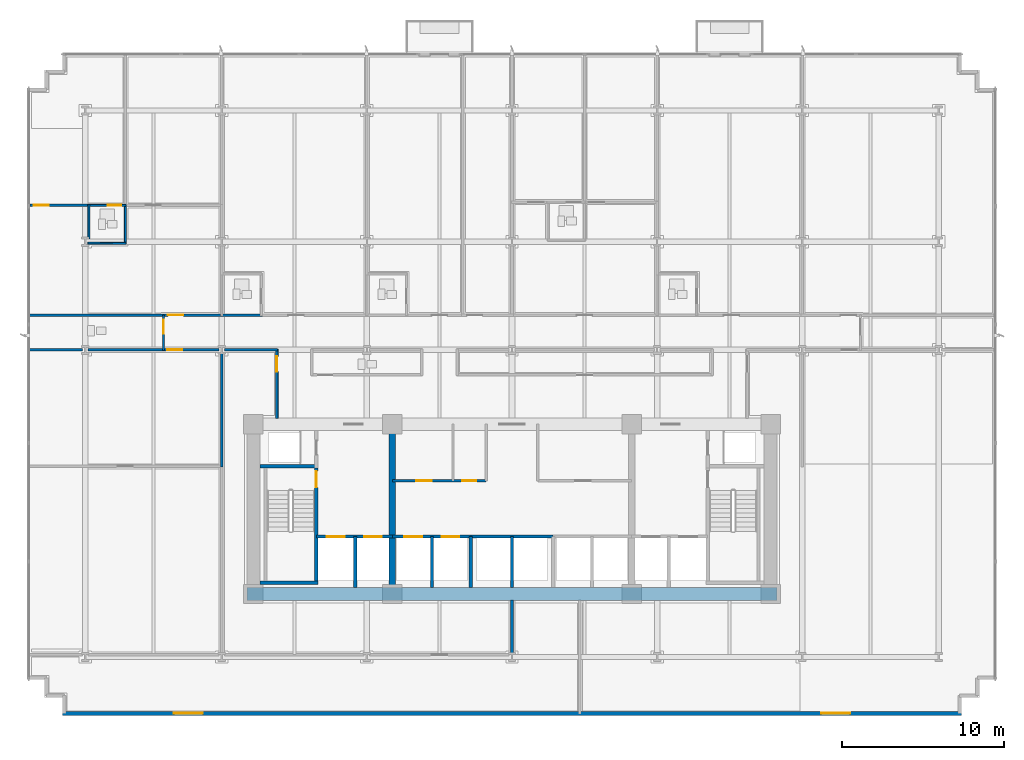
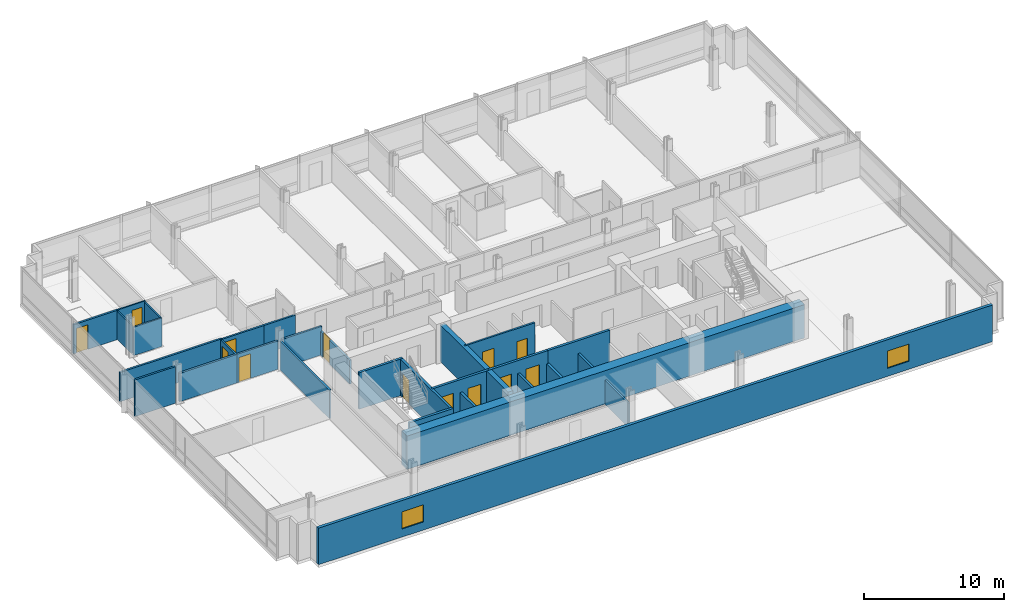
# One storey, part 8 of 16: 30 walls, 13 doors, 2 windows, 15 openings.
"""IFC4 building model written with IfcOpenShell, lengths in metres."""

from ifc_helpers import new_model, si_unit, direction, frame, frame_2d, origin, place, context, subcontext, project, spatial, rectangle, extrude, material, layer, layer_set, type_object, element, fill, save


model = new_model("IFC4")

# Units and contexts
model_context = context("Model", 3, precision=1e-05, world=origin(), true_north=direction((0.0, 1.0)))
body_context = subcontext(model_context, "Body", "Model", "MODEL_VIEW")
ifc_project = project(units=[si_unit("LENGTHUNIT", "METRE"), si_unit("AREAUNIT", "SQUARE_METRE"), si_unit("VOLUMEUNIT", "CUBIC_METRE"), si_unit("PLANEANGLEUNIT", "RADIAN"), si_unit("MASSUNIT", "GRAM", prefix="KILO")], contexts=[model_context])

# Site, building, storey
site_placement = place(None, origin())
site = spatial("IfcSite", under=ifc_project, at=site_placement, CompositionType="ELEMENT")
building_placement = place(site_placement, origin())
building = spatial("IfcBuilding", under=site, at=building_placement, Name="Solmavex Isthmus Hotel", CompositionType="ELEMENT")
storey_placement = place(building_placement, frame((0.0, 0.0, 36.75)))
storey = spatial("IfcBuildingStorey", under=building, at=storey_placement, Name="L09", CompositionType="ELEMENT", Elevation=36.75)

# Wall, openings, windows
ifc_material_1 = material(Name="Precast Concrete C40/50", Category="concrete")
ifc_layer_1 = layer(ifc_material_1, 0.25)
ifc_layer_set_1 = layer_set([ifc_layer_1], Name="Precast Concrete C40/50")
wall_type_1 = type_object("IfcWallType", Name="EW-TWR-250", PredefinedType="STANDARD", material=ifc_layer_set_1)
wall_1_placement = place(storey_placement, frame((-27.800048828125, -20.3798828125, 0.0), z_axis=(0.0, 0.0, 1.0), x_axis=(1.0, 0.0, 0.0)))
wall_1 = element("IfcWall", 1, at=wall_1_placement, inside=storey, type_object=wall_type_1, Name="Tower Rear South Facade Wall L09", PredefinedType="STANDARD", context=body_context, shape_type="SweptSolid", body=[
    extrude(rectangle(XDim=55.60009765625, YDim=0.239990234375, at=frame_2d((27.800048828125, 0.0))), origin(), (0.0, 0.0, 1.0), 3.18994140625),
])
opening_1_placement = place(wall_1_placement, frame((6.884033203125, 0.0, 0.699951171875)))
opening_1 = element("IfcOpeningElement", 2, at=opening_1_placement, cuts=wall_1, Name="Opening WN-02", PredefinedType="OPENING", context=body_context, shape_type="SweptSolid", body=[
    extrude(rectangle(XDim=1.800048828125, YDim=1.5, at=frame_2d((0.89990234375, 0.75))), frame((0.0, 0.1298828125, 0.0), z_axis=(0.0, -1.0, 0.0), x_axis=(1.0, 0.0, 0.0)), (0.0, 0.0, 1.0), 0.260009765625),
])
opening_2_placement = place(wall_1_placement, frame((46.916015625, 0.0, 0.699951171875)))
opening_2 = element("IfcOpeningElement", 3, at=opening_2_placement, cuts=wall_1, Name="Opening WN-02", PredefinedType="OPENING", context=body_context, shape_type="SweptSolid", body=[
    extrude(rectangle(XDim=1.800048828125, YDim=1.5, at=frame_2d((0.89990234375, 0.75))), frame((0.0, 0.1298828125, 0.0), z_axis=(0.0, -1.0, 0.0), x_axis=(1.0, 0.0, 0.0)), (0.0, 0.0, 1.0), 0.260009765625),
])
ifc_material_2 = material(Name="Clear low-E laminated glass", Category="glass")
window_type = type_object("IfcWindowType", Name="WIN-TWR-1800", PartitioningType="SINGLE_PANEL", PredefinedType="WINDOW", material=ifc_material_2)
window_1_placement = place(opening_1_placement, origin())
window_1 = element("IfcWindow", 4, at=window_1_placement, inside=storey, type_object=window_type, Name="South Facade Vision Window L09-S1", OverallHeight=1.5, OverallWidth=1.800048828125, PartitioningType="SINGLE_PANEL", PredefinedType="WINDOW", context=body_context, shape_type="SweptSolid", body=[
    extrude(rectangle(XDim=1.800048828125, YDim=1.5, at=frame_2d((0.89990234375, 0.75))), frame((0.0, 0.030029296875, 0.0), z_axis=(0.0, -1.0, 0.0), x_axis=(1.0, 0.0, 0.0)), (0.0, 0.0, 1.0), 0.06005859375),
])
fill(opening_1, window_1)
window_2_placement = place(opening_2_placement, origin())
window_2 = element("IfcWindow", 5, at=window_2_placement, inside=storey, type_object=window_type, Name="South Facade Vision Window L09-S2", OverallHeight=1.5, OverallWidth=1.800048828125, PartitioningType="SINGLE_PANEL", PredefinedType="WINDOW", context=body_context, shape_type="SweptSolid", body=[
    extrude(rectangle(XDim=1.800048828125, YDim=1.5, at=frame_2d((0.89990234375, 0.75))), frame((0.0, 0.030029296875, 0.0), z_axis=(0.0, -1.0, 0.0), x_axis=(1.0, 0.0, 0.0)), (0.0, 0.0, 1.0), 0.06005859375),
])
fill(opening_2, window_2)

# Wall, opening, door
ifc_material_3 = material(Name="Gypsum plasterboard lining", Category="gypsum")
ifc_layer_2 = layer(ifc_material_3, 0.159912109375)
ifc_layer_set_2 = layer_set([ifc_layer_2], Name="Gypsum plasterboard lining")
wall_type_2 = type_object("IfcWallType", Name="IW-COMP-160", PredefinedType="PARTITIONING", material=ifc_layer_set_2)
wall_2_placement = place(storey_placement, frame((-29.800048828125, 11.0380859375, 0.0), z_axis=(0.0, 0.0, 1.0), x_axis=(1.0, 0.0, 0.0)))
wall_2 = element("IfcWall", 6, at=wall_2_placement, inside=storey, type_object=wall_type_2, Name="Interior Partition Wall W-L09-P033", PredefinedType="PARTITIONING", context=body_context, shape_type="SweptSolid", body=[
    extrude(rectangle(XDim=3.674072265625, YDim=0.159912109375, at=frame_2d((1.8369140625, 0.0))), origin(), (0.0, 0.0, 1.0), 2.55322265625),
])
opening_3_placement = place(wall_2_placement, frame((0.2099609375, 0.0, 0.0)))
opening_3 = element("IfcOpeningElement", 7, at=opening_3_placement, cuts=wall_2, Name="Opening ID-C095", PredefinedType="OPENING", context=body_context, shape_type="SweptSolid", body=[
    extrude(rectangle(XDim=0.949951171875, YDim=2.14990234375, at=frame_2d((0.47509765625, 1.074951171875))), frame((0.0, 0.08984375, 0.0), z_axis=(0.0, -1.0, 0.0), x_axis=(1.0, 0.0, 0.0)), (0.0, 0.0, 1.0), 0.179931640625),
])
ifc_material_4 = material(Name="Hardwood timber", Category="wood")
door_type_1 = type_object("IfcDoorType", Name="IDR-FD60-0950", OperationType="NOTDEFINED", PredefinedType="DOOR", material=ifc_material_4)
door_1_placement = place(opening_3_placement, origin())
door_1 = element("IfcDoor", 8, at=door_1_placement, inside=storey, type_object=door_type_1, Name="Ambassador Panorama Suite Master Bedroom Door L09-02", OperationType="SINGLE_SWING_RIGHT", OverallHeight=2.14990234375, OverallWidth=0.949951171875, PredefinedType="DOOR", context=body_context, shape_type="SweptSolid", body=[
    extrude(rectangle(XDim=0.949951171875, YDim=2.14990234375, at=frame_2d((0.47509765625, 1.074951171875))), frame((0.0, 0.02490234375, 0.0), z_axis=(0.0, -1.0, 0.0), x_axis=(1.0, 0.0, 0.0)), (0.0, 0.0, 1.0), 0.050048828125),
])
fill(opening_3, door_1)

# Walls
wall_3_placement = place(storey_placement, frame((-21.511962890625, 4.22998046875, 0.0), z_axis=(0.0, 0.0, 1.0), x_axis=(-1.0, 0.0, 0.0)))
element("IfcWall", 9, at=wall_3_placement, inside=storey, type_object=wall_type_2, Name="Interior Partition Wall W-L09-P041", PredefinedType="PARTITIONING", context=body_context, shape_type="SweptSolid", body=[
    extrude(rectangle(XDim=8.407958984375, YDim=0.159912109375, at=frame_2d((4.2041015625, 0.0))), origin(), (0.0, 0.0, 1.0), 2.55322265625),
])
wall_4_placement = place(storey_placement, frame((-26.574951171875, 2.10009765625, 0.0), z_axis=(0.0, 0.0, 1.0), x_axis=(-1.0, 0.0, 0.0)))
element("IfcWall", 10, at=wall_4_placement, inside=storey, type_object=wall_type_2, Name="Interior Partition Wall W-L09-P077", PredefinedType="PARTITIONING", context=body_context, shape_type="SweptSolid", body=[
    extrude(rectangle(XDim=3.344970703125, YDim=0.159912109375, at=frame_2d((1.67236328125, 0.0))), origin(), (0.0, 0.0, 1.0), 3.18994140625),
])
wall_5_placement = place(storey_placement, frame((-21.511962890625, 2.10009765625, 0.0), z_axis=(0.0, 0.0, 1.0), x_axis=(-1.0, 0.0, 0.0)))
element("IfcWall", 11, at=wall_5_placement, inside=storey, type_object=wall_type_2, Name="Interior Partition Wall W-L09-P078", PredefinedType="PARTITIONING", context=body_context, shape_type="SweptSolid", body=[
    extrude(rectangle(XDim=4.713134765625, YDim=0.159912109375, at=frame_2d((2.3564453125, 0.0))), origin(), (0.0, 0.0, 1.0), 2.4794921875),
])
wall_6_placement = place(storey_placement, frame((-17.951904296875, 1.925048828125, 0.0), z_axis=(0.0, 0.0, 1.0), x_axis=(0.0, -1.0, 0.0)))
element("IfcWall", 12, at=wall_6_placement, inside=storey, type_object=wall_type_2, Name="Interior Partition Wall W-L09-P081", PredefinedType="PARTITIONING", context=body_context, shape_type="SweptSolid", body=[
    extrude(rectangle(XDim=7.06494140625, YDim=0.159912109375, at=frame_2d((3.532470703125, 0.0))), origin(), (0.0, 0.0, 1.0), 2.4794921875),
])
wall_7_placement = place(storey_placement, frame((0.0, -13.360107421875, 0.0), z_axis=(0.0, 0.0, 1.0), x_axis=(0.0, -1.0, 0.0)))
element("IfcWall", 13, at=wall_7_placement, inside=storey, type_object=wall_type_2, Name="Interior Partition Wall W-L09-P086", PredefinedType="PARTITIONING", context=body_context, shape_type="SweptSolid", body=[
    extrude(rectangle(XDim=3.364990234375, YDim=0.159912109375, at=frame_2d((1.6826171875, 0.0))), origin(), (0.0, 0.0, 1.0), 2.074951171875),
])

# Wall, openings, doors
ifc_layer_3 = layer(ifc_material_3, 0.14990234375)
ifc_layer_set_3 = layer_set([ifc_layer_3], Name="Gypsum plasterboard lining")
wall_type_3 = type_object("IfcWallType", Name="IW-CORR-150", PredefinedType="PARTITIONING", material=ifc_layer_set_3)
wall_8_placement = place(storey_placement, frame((-7.39990234375, -6.0, 0.0), z_axis=(0.0, 0.0, 1.0), x_axis=(1.0, 0.0, 0.0)))
wall_8 = element("IfcWall", 14, at=wall_8_placement, inside=storey, type_object=wall_type_3, Name="Interior Partition Wall W-L09-BOH-WS", PredefinedType="PARTITIONING", context=body_context, shape_type="SweptSolid", body=[
    extrude(rectangle(XDim=5.7998046875, YDim=0.14990234375, at=frame_2d((2.89990234375, 0.0))), origin(), (0.0, 0.0, 1.0), 3.18994140625),
])
opening_4_placement = place(wall_8_placement, frame((1.47509765625, 0.0, 0.0)))
opening_4 = element("IfcOpeningElement", 15, at=opening_4_placement, cuts=wall_8, Name="Opening ID-C095", PredefinedType="OPENING", context=body_context, shape_type="SweptSolid", body=[
    extrude(rectangle(XDim=0.949951171875, YDim=2.14990234375, at=frame_2d((0.47509765625, 1.074951171875))), frame((0.0, 0.0849609375, 0.0), z_axis=(0.0, -1.0, 0.0), x_axis=(1.0, 0.0, 0.0)), (0.0, 0.0, 1.0), 0.169921875),
])
opening_5_placement = place(wall_8_placement, frame((4.324951171875, 0.0, 0.0)))
opening_5 = element("IfcOpeningElement", 16, at=opening_5_placement, cuts=wall_8, Name="Opening ID-R085", PredefinedType="OPENING", context=body_context, shape_type="SweptSolid", body=[
    extrude(rectangle(XDim=0.85009765625, YDim=2.050048828125, at=frame_2d((0.425048828125, 1.02490234375))), frame((0.0, 0.0849609375, 0.0), z_axis=(0.0, -1.0, 0.0), x_axis=(1.0, 0.0, 0.0)), (0.0, 0.0, 1.0), 0.169921875),
])
ifc_material_5 = material(Name="Steel ASTM A500 Grade C", Category="steel")
door_type_2 = type_object("IfcDoorType", Name="IDR-FD60-0850", OperationType="NOTDEFINED", PredefinedType="DOOR", material=ifc_material_5)
door_2_placement = place(opening_5_placement, frame((0.85009765625, 0.0, 0.0), z_axis=(0.0, 0.0, 1.0), x_axis=(-1.0, 0.0, 0.0)))
door_2 = element("IfcDoor", 17, at=door_2_placement, inside=storey, type_object=door_type_2, Name="Cleaner Closet Door L09", OperationType="SINGLE_SWING_RIGHT", OverallHeight=2.050048828125, OverallWidth=0.85009765625, PredefinedType="DOOR", context=body_context, shape_type="SweptSolid", body=[
    extrude(rectangle(XDim=0.85009765625, YDim=2.050048828125, at=frame_2d((0.425048828125, 1.02490234375))), frame((0.0, 0.02490234375, 0.0), z_axis=(0.0, -1.0, 0.0), x_axis=(1.0, 0.0, 0.0)), (0.0, 0.0, 1.0), 0.050048828125),
])
fill(opening_5, door_2)
door_3_placement = place(opening_4_placement, frame((0.949951171875, 0.0, 0.0), z_axis=(0.0, 0.0, 1.0), x_axis=(-1.0, 0.0, 0.0)))
door_3 = element("IfcDoor", 18, at=door_3_placement, inside=storey, type_object=door_type_1, Name="Housekeeping Store Door L09", OperationType="SINGLE_SWING_LEFT", OverallHeight=2.14990234375, OverallWidth=0.949951171875, PredefinedType="DOOR", context=body_context, shape_type="SweptSolid", body=[
    extrude(rectangle(XDim=0.949951171875, YDim=2.14990234375, at=frame_2d((0.47509765625, 1.074951171875))), frame((0.0, 0.02490234375, 0.0), z_axis=(0.0, -1.0, 0.0), x_axis=(1.0, 0.0, 0.0)), (0.0, 0.0, 1.0), 0.050048828125),
])
fill(opening_4, door_3)

# Wall, opening, door
wall_9_placement = place(storey_placement, frame((-21.592041015625, 4.25, 0.0), z_axis=(0.0, 0.0, 1.0), x_axis=(1.0, 0.0, 0.0)))
wall_9 = element("IfcWall", 19, at=wall_9_placement, inside=storey, type_object=wall_type_3, Name="Interior Partition Wall W-L09-P001", PredefinedType="PARTITIONING", context=body_context, shape_type="SweptSolid", body=[
    extrude(rectangle(XDim=3.721923828125, YDim=0.14990234375, at=frame_2d((1.86083984375, 0.0))), origin(), (0.0, 0.0, 1.0), 2.4794921875),
])
opening_6_placement = place(wall_9_placement, frame((0.315185546875, 0.0, 0.0)))
opening_6 = element("IfcOpeningElement", 20, at=opening_6_placement, cuts=wall_9, Name="Opening ID-C095", PredefinedType="OPENING", context=body_context, shape_type="SweptSolid", body=[
    extrude(rectangle(XDim=0.949951171875, YDim=2.14990234375, at=frame_2d((0.47509765625, 1.074951171875))), frame((0.0, 0.0849609375, 0.0), z_axis=(0.0, -1.0, 0.0), x_axis=(1.0, 0.0, 0.0)), (0.0, 0.0, 1.0), 0.169921875),
])
door_4_placement = place(opening_6_placement, origin())
door_4 = element("IfcDoor", 21, at=door_4_placement, inside=storey, type_object=door_type_1, Name="Ambassador Panorama Suite Living Salon Door L09-01", OperationType="SINGLE_SWING_LEFT", OverallHeight=2.14990234375, OverallWidth=0.949951171875, PredefinedType="DOOR", context=body_context, shape_type="SweptSolid", body=[
    extrude(rectangle(XDim=0.949951171875, YDim=2.14990234375, at=frame_2d((0.47509765625, 1.074951171875))), frame((0.0, 0.02490234375, 0.0), z_axis=(0.0, -1.0, 0.0), x_axis=(1.0, 0.0, 0.0)), (0.0, 0.0, 1.0), 0.050048828125),
])
fill(opening_6, door_4)

# Wall
wall_10_placement = place(storey_placement, frame((-18.033935546875, 4.25, 0.0), z_axis=(0.0, 0.0, 1.0), x_axis=(1.0, 0.0, 0.0)))
element("IfcWall", 22, at=wall_10_placement, inside=storey, type_object=wall_type_3, Name="Interior Partition Wall W-L09-P003", PredefinedType="PARTITIONING", context=body_context, shape_type="SweptSolid", body=[
    extrude(rectangle(XDim=2.614013671875, YDim=0.14990234375, at=frame_2d((1.30712890625, 0.0))), origin(), (0.0, 0.0, 1.0), 2.4794921875),
])

# Wall, opening, door
wall_11_placement = place(storey_placement, frame((-21.552001953125, 2.06005859375, 0.0), z_axis=(0.0, 0.0, 1.0), x_axis=(0.0, 1.0, 0.0)))
wall_11 = element("IfcWall", 23, at=wall_11_placement, inside=storey, type_object=wall_type_3, Name="Interior Partition Wall W-L09-P017", PredefinedType="PARTITIONING", context=body_context, shape_type="SweptSolid", body=[
    extrude(rectangle(XDim=2.2099609375, YDim=0.14990234375, at=frame_2d((1.10498046875, 0.0))), origin(), (0.0, 0.0, 1.0), 2.4794921875),
])
opening_7_placement = place(wall_11_placement, frame((1.037841796875, 0.0, 0.0)))
opening_7 = element("IfcOpeningElement", 24, at=opening_7_placement, cuts=wall_11, Name="Opening ID-R085", PredefinedType="OPENING", context=body_context, shape_type="SweptSolid", body=[
    extrude(rectangle(XDim=0.85009765625, YDim=2.050048828125, at=frame_2d((0.425048828125, 1.02490234375))), frame((0.0, 0.0849609375, 0.0), z_axis=(0.0, -1.0, 0.0), x_axis=(1.0, 0.0, 0.0)), (0.0, 0.0, 1.0), 0.169921875),
])
door_5_placement = place(opening_7_placement, origin())
door_5 = element("IfcDoor", 25, at=door_5_placement, inside=storey, type_object=door_type_2, Name="Public Restroom WC Door L09-18", OperationType="SINGLE_SWING_RIGHT", OverallHeight=2.050048828125, OverallWidth=0.85009765625, PredefinedType="DOOR", context=body_context, shape_type="SweptSolid", body=[
    extrude(rectangle(XDim=0.85009765625, YDim=2.050048828125, at=frame_2d((0.425048828125, 1.02490234375))), frame((0.0, 0.02490234375, 0.0), z_axis=(0.0, -1.0, 0.0), x_axis=(1.0, 0.0, 0.0)), (0.0, 0.0, 1.0), 0.050048828125),
])
fill(opening_7, door_5)

wall_12_placement = place(storey_placement, frame((-18.126953125, 2.10009765625, 0.0), z_axis=(0.0, 0.0, 1.0), x_axis=(-1.0, 0.0, 0.0)))
wall_12 = element("IfcWall", 26, at=wall_12_placement, inside=storey, type_object=wall_type_3, Name="Interior Partition Wall W-L09-P027", PredefinedType="PARTITIONING", context=body_context, shape_type="SweptSolid", body=[
    extrude(rectangle(XDim=3.465087890625, YDim=0.14990234375, at=frame_2d((1.732421875, 0.0))), origin(), (0.0, 0.0, 1.0), 2.4794921875),
])
opening_8_placement = place(wall_12_placement, frame((2.252685546875, 0.0, 0.0)))
opening_8 = element("IfcOpeningElement", 27, at=opening_8_placement, cuts=wall_12, Name="Opening ID-C095", PredefinedType="OPENING", context=body_context, shape_type="SweptSolid", body=[
    extrude(rectangle(XDim=0.949951171875, YDim=2.14990234375, at=frame_2d((0.47509765625, 1.074951171875))), frame((0.0, 0.0849609375, 0.0), z_axis=(0.0, -1.0, 0.0), x_axis=(1.0, 0.0, 0.0)), (0.0, 0.0, 1.0), 0.169921875),
])
door_6_placement = place(opening_8_placement, origin())
door_6 = element("IfcDoor", 28, at=door_6_placement, inside=storey, type_object=door_type_1, Name="Club Reading Library Door L09-21", OperationType="SINGLE_SWING_LEFT", OverallHeight=2.14990234375, OverallWidth=0.949951171875, PredefinedType="DOOR", context=body_context, shape_type="SweptSolid", body=[
    extrude(rectangle(XDim=0.949951171875, YDim=2.14990234375, at=frame_2d((0.47509765625, 1.074951171875))), frame((0.0, 0.02490234375, 0.0), z_axis=(0.0, -1.0, 0.0), x_axis=(1.0, 0.0, 0.0)), (0.0, 0.0, 1.0), 0.050048828125),
])
fill(opening_8, door_6)

wall_13_placement = place(storey_placement, frame((-14.5439453125, -2.139892578125, 0.0), z_axis=(0.0, 0.0, 1.0), x_axis=(0.0, 1.0, 0.0)))
wall_13 = element("IfcWall", 29, at=wall_13_placement, inside=storey, type_object=wall_type_3, Name="Interior Partition Wall W-L09-P029", PredefinedType="PARTITIONING", context=body_context, shape_type="SweptSolid", body=[
    extrude(rectangle(XDim=4.27978515625, YDim=0.14990234375, at=frame_2d((2.139892578125, 0.0))), origin(), (0.0, 0.0, 1.0), 2.074951171875),
])
opening_9_placement = place(wall_13_placement, frame((2.89990234375, 0.0, 0.0)))
opening_9 = element("IfcOpeningElement", 30, at=opening_9_placement, cuts=wall_13, Name="Opening ID-C095", PredefinedType="OPENING", context=body_context, shape_type="SweptSolid", body=[
    extrude(rectangle(XDim=0.949951171875, YDim=2.14990234375, at=frame_2d((0.47509765625, 1.074951171875))), frame((0.0, 0.0849609375, 0.0), z_axis=(0.0, -1.0, 0.0), x_axis=(1.0, 0.0, 0.0)), (0.0, 0.0, 1.0), 0.169921875),
])
door_7_placement = place(opening_9_placement, frame((0.949951171875, 0.0, 0.0), z_axis=(0.0, 0.0, 1.0), x_axis=(-1.0, 0.0, 0.0)))
door_7 = element("IfcDoor", 31, at=door_7_placement, inside=storey, type_object=door_type_1, Name="Club Reading Library Door L09-23", OperationType="SINGLE_SWING_LEFT", OverallHeight=2.14990234375, OverallWidth=0.949951171875, PredefinedType="DOOR", context=body_context, shape_type="SweptSolid", body=[
    extrude(rectangle(XDim=0.949951171875, YDim=2.14990234375, at=frame_2d((0.47509765625, 1.074951171875))), frame((0.0, 0.02490234375, 0.0), z_axis=(0.0, -1.0, 0.0), x_axis=(1.0, 0.0, 0.0)), (0.0, 0.0, 1.0), 0.050048828125),
])
fill(opening_9, door_7)

# Walls
wall_14_placement = place(storey_placement, frame((-14.50390625, 2.10009765625, 0.0), z_axis=(0.0, 0.0, 1.0), x_axis=(-1.0, 0.0, 0.0)))
element("IfcWall", 32, at=wall_14_placement, inside=storey, type_object=wall_type_3, Name="Interior Partition Wall W-L09-P030", PredefinedType="PARTITIONING", context=body_context, shape_type="SweptSolid", body=[
    extrude(rectangle(XDim=3.273193359375, YDim=0.14990234375, at=frame_2d((1.63671875, 0.0))), origin(), (0.0, 0.0, 1.0), 2.4794921875),
])
ifc_layer_4 = layer(ifc_material_3, 0.1201171875)
ifc_layer_set_4 = layer_set([ifc_layer_4], Name="Gypsum plasterboard lining")
wall_type_4 = type_object("IfcWallType", Name="IW-PART-120", PredefinedType="PARTITIONING", material=ifc_layer_set_4)
wall_15_placement = place(storey_placement, frame((-26.166015625, 11.077880859375, 0.0), z_axis=(0.0, 0.0, 1.0), x_axis=(0.0, -1.0, 0.0)))
element("IfcWall", 33, at=wall_15_placement, inside=storey, type_object=wall_type_4, Name="Interior Partition Wall W-L09-P035", PredefinedType="PARTITIONING", context=body_context, shape_type="SweptSolid", body=[
    extrude(rectangle(XDim=2.114990234375, YDim=0.1201171875, at=frame_2d((1.0576171875, 0.0))), origin(), (0.0, 0.0, 1.0), 2.4794921875),
])
wall_16_placement = place(storey_placement, frame((-26.22509765625, 8.6982421875, 0.0), z_axis=(0.0, 0.0, 1.0), x_axis=(0.999990014503, -0.004468880755, 0.0)))
element("IfcWall", 34, at=wall_16_placement, inside=storey, type_object=wall_type_4, Name="Interior Partition Wall W-L09-P036", PredefinedType="PARTITIONING", context=body_context, shape_type="SweptSolid", body=[
    extrude(rectangle(XDim=2.34912109375, YDim=0.1201171875, at=frame_2d((1.174560546875, 0.0))), origin(), (0.0, 0.0, 1.0), 2.4794921875),
])
wall_17_placement = place(storey_placement, frame((-23.916015625, 8.64794921875, 0.0), z_axis=(0.0, 0.0, 1.0), x_axis=(0.0, 1.0, 0.0)))
element("IfcWall", 35, at=wall_17_placement, inside=storey, type_object=wall_type_4, Name="Interior Partition Wall W-L09-P037", PredefinedType="PARTITIONING", context=body_context, shape_type="SweptSolid", body=[
    extrude(rectangle(XDim=2.429931640625, YDim=0.1201171875, at=frame_2d((1.21484375, 0.0))), origin(), (0.0, 0.0, 1.0), 2.4794921875),
])

# Wall, opening, door
wall_18_placement = place(storey_placement, frame((-23.8759765625, 11.0380859375, 0.0), z_axis=(0.0, 0.0, 1.0), x_axis=(-1.0, 0.0, 0.0)))
wall_18 = element("IfcWall", 36, at=wall_18_placement, inside=storey, type_object=wall_type_4, Name="Interior Partition Wall W-L09-P043", PredefinedType="PARTITIONING", context=body_context, shape_type="SweptSolid", body=[
    extrude(rectangle(XDim=2.3720703125, YDim=0.1201171875, at=frame_2d((1.18603515625, 0.0))), origin(), (0.0, 0.0, 1.0), 2.55322265625),
])
opening_10_placement = place(wall_18_placement, frame((0.27978515625, 0.0, 0.0)))
opening_10 = element("IfcOpeningElement", 37, at=opening_10_placement, cuts=wall_18, Name="Opening ID-U085", PredefinedType="OPENING", context=body_context, shape_type="SweptSolid", body=[
    extrude(rectangle(XDim=0.85009765625, YDim=2.10009765625, at=frame_2d((0.425048828125, 1.050048828125))), frame((0.0, 0.070068359375, 0.0), z_axis=(0.0, -1.0, 0.0), x_axis=(1.0, 0.0, 0.0)), (0.0, 0.0, 1.0), 0.14013671875),
])
door_type_3 = type_object("IfcDoorType", Name="IDR-UNR-0850", OperationType="NOTDEFINED", PredefinedType="DOOR", material=ifc_material_4)
door_8_placement = place(opening_10_placement, frame((0.85009765625, 0.0, 0.0), z_axis=(0.0, 0.0, 1.0), x_axis=(-1.0, 0.0, 0.0)))
door_8 = element("IfcDoor", 38, at=door_8_placement, inside=storey, type_object=door_type_3, Name="En-suite Bathroom Door L09-04", OperationType="SINGLE_SWING_RIGHT", OverallHeight=2.10009765625, OverallWidth=0.85009765625, PredefinedType="DOOR", context=body_context, shape_type="SweptSolid", body=[
    extrude(rectangle(XDim=0.85009765625, YDim=2.10009765625, at=frame_2d((0.425048828125, 1.050048828125))), frame((0.0, 0.02490234375, 0.0), z_axis=(0.0, -1.0, 0.0), x_axis=(1.0, 0.0, 0.0)), (0.0, 0.0, 1.0), 0.050048828125),
])
fill(opening_10, door_8)

# Walls
ifc_material_6 = material(Name="Concrete C40/50", Category="concrete")
ifc_layer_5 = layer(ifc_material_6, 0.179931640625)
ifc_layer_set_5 = layer_set([ifc_layer_5], Name="Concrete C40/50")
wall_type_5 = type_object("IfcWallType", Name="IW-SHAFT-180", PredefinedType="PARTITIONING", material=ifc_layer_set_5)
for number, where, z_axis, x_axis, name in (
    (39, (-4.949951171875, -12.60009765625, 0.0), (0.0, 0.0, 1.0), (0.0, 1.0, 0.0), "Interior Partition Wall W-L09-SH-PLL-M"),
    (40, (0.0, -12.60009765625, 0.0), (0.0, 0.0, 1.0), (0.0, 1.0, 0.0), "Interior Partition Wall W-L09-SH-PLM-M"),
):
    element("IfcWall", number, at=place(storey_placement, frame(where, z_axis=z_axis, x_axis=x_axis)), inside=storey, type_object=wall_type_5, Name=name, PredefinedType="PARTITIONING", context=body_context, shape_type="SweptSolid", body=[
        extrude(rectangle(XDim=3.150146484375, YDim=0.179931640625, at=frame_2d((1.5751953125, 0.0))), origin(), (0.0, 0.0, 1.0), 2.074951171875),
    ])

# Wall, openings, doors
ifc_layer_6 = layer(ifc_material_6, 0.199951171875)
ifc_layer_set_6 = layer_set([ifc_layer_6], Name="Concrete C40/50")
wall_type_6 = type_object("IfcWallType", Name="IW-SHAFT-200", PredefinedType="PARTITIONING", material=ifc_layer_set_6)
wall_19_placement = place(storey_placement, frame((-12.10009765625, -9.449951171875, 0.0), z_axis=(0.0, 0.0, 1.0), x_axis=(1.0, 0.0, 0.0)))
wall_19 = element("IfcWall", 41, at=wall_19_placement, inside=storey, type_object=wall_type_6, Name="Interior Partition Wall W-L09-FFLW-S", PredefinedType="PARTITIONING", context=body_context, shape_type="SweptSolid", body=[
    extrude(rectangle(XDim=4.7001953125, YDim=0.199951171875, at=frame_2d((2.35009765625, 0.0))), origin(), (0.0, 0.0, 1.0), 3.18994140625),
])
opening_11_placement = place(wall_19_placement, frame((0.64990234375, 0.0, 0.0)))
opening_11 = element("IfcOpeningElement", 42, at=opening_11_placement, cuts=wall_19, Name="Opening LD-FF", PredefinedType="OPENING", context=body_context, shape_type="SweptSolid", body=[
    extrude(rectangle(XDim=1.10009765625, YDim=2.199951171875, at=frame_2d((0.550048828125, 1.10009765625))), frame((0.0, 0.10986328125, 0.0), z_axis=(0.0, -1.0, 0.0), x_axis=(1.0, 0.0, 0.0)), (0.0, 0.0, 1.0), 0.219970703125),
])
opening_12_placement = place(wall_19_placement, frame((2.949951171875, 0.0, 0.0)))
opening_12 = element("IfcOpeningElement", 43, at=opening_12_placement, cuts=wall_19, Name="Opening LD-SV", PredefinedType="OPENING", context=body_context, shape_type="SweptSolid", body=[
    extrude(rectangle(XDim=1.10009765625, YDim=2.199951171875, at=frame_2d((0.550048828125, 1.10009765625))), frame((0.0, 0.10986328125, 0.0), z_axis=(0.0, -1.0, 0.0), x_axis=(1.0, 0.0, 0.0)), (0.0, 0.0, 1.0), 0.219970703125),
])
ifc_material_7 = material(Name="Stainless steel 316", Category="steel")
door_type_4 = type_object("IfcDoorType", Name="LDR-FF-1100", OperationType="NOTDEFINED", PredefinedType="DOOR", material=ifc_material_7)
door_9_placement = place(opening_11_placement, origin())
door_9 = element("IfcDoor", 44, at=door_9_placement, inside=storey, type_object=door_type_4, Name="Lift Landing Door FFL-1 L09", OperationType="SLIDING_TO_LEFT", OverallHeight=2.199951171875, OverallWidth=1.10009765625, PredefinedType="DOOR", context=body_context, shape_type="SweptSolid", body=[
    extrude(rectangle(XDim=1.10009765625, YDim=2.199951171875, at=frame_2d((0.550048828125, 1.10009765625))), frame((0.0, 0.02490234375, 0.0), z_axis=(0.0, -1.0, 0.0), x_axis=(1.0, 0.0, 0.0)), (0.0, 0.0, 1.0), 0.050048828125),
])
fill(opening_11, door_9)
door_type_5 = type_object("IfcDoorType", Name="LDR-SV-1100", OperationType="NOTDEFINED", PredefinedType="DOOR", material=ifc_material_7)
door_10_placement = place(opening_12_placement, origin())
door_10 = element("IfcDoor", 45, at=door_10_placement, inside=storey, type_object=door_type_5, Name="Lift Landing Door SVL-1 L09", OperationType="SLIDING_TO_RIGHT", OverallHeight=2.199951171875, OverallWidth=1.10009765625, PredefinedType="DOOR", context=body_context, shape_type="SweptSolid", body=[
    extrude(rectangle(XDim=1.10009765625, YDim=2.199951171875, at=frame_2d((0.550048828125, 1.10009765625))), frame((0.0, 0.02490234375, 0.0), z_axis=(0.0, -1.0, 0.0), x_axis=(1.0, 0.0, 0.0)), (0.0, 0.0, 1.0), 0.050048828125),
])
fill(opening_12, door_10)

# Wall
wall_20_placement = place(storey_placement, frame((-9.699951171875, -12.60009765625, 0.0), z_axis=(0.0, 0.0, 1.0), x_axis=(0.0, 1.0, 0.0)))
element("IfcWall", 46, at=wall_20_placement, inside=storey, type_object=wall_type_6, Name="Interior Partition Wall W-L09-FFLW-M", PredefinedType="PARTITIONING", context=body_context, shape_type="SweptSolid", body=[
    extrude(rectangle(XDim=3.150146484375, YDim=0.199951171875, at=frame_2d((1.5751953125, 0.0))), origin(), (0.0, 0.0, 1.0), 2.074951171875),
])

# Wall, openings, doors
wall_21_placement = place(storey_placement, frame((-7.39990234375, -9.449951171875, 0.0), z_axis=(0.0, 0.0, 1.0), x_axis=(1.0, 0.0, 0.0)))
wall_21 = element("IfcWall", 47, at=wall_21_placement, inside=storey, type_object=wall_type_6, Name="Interior Partition Wall W-L09-SH-PLL", PredefinedType="PARTITIONING", context=body_context, shape_type="SweptSolid", body=[
    extrude(rectangle(XDim=4.849853515625, YDim=0.199951171875, at=frame_2d((2.4248046875, 0.0))), origin(), (0.0, 0.0, 1.0), 3.18994140625),
])
opening_13_placement = place(wall_21_placement, frame((0.75, 0.0, 0.0)))
opening_13 = element("IfcOpeningElement", 48, at=opening_13_placement, cuts=wall_21, Name="Opening LD-PL", PredefinedType="OPENING", context=body_context, shape_type="SweptSolid", body=[
    extrude(rectangle(XDim=1.10009765625, YDim=2.199951171875, at=frame_2d((0.550048828125, 1.10009765625))), frame((0.0, 0.10986328125, 0.0), z_axis=(0.0, -1.0, 0.0), x_axis=(1.0, 0.0, 0.0)), (0.0, 0.0, 1.0), 0.219970703125),
])
opening_14_placement = place(wall_21_placement, frame((3.050048828125, 0.0, 0.0)))
opening_14 = element("IfcOpeningElement", 49, at=opening_14_placement, cuts=wall_21, Name="Opening LD-PL", PredefinedType="OPENING", context=body_context, shape_type="SweptSolid", body=[
    extrude(rectangle(XDim=1.10009765625, YDim=2.199951171875, at=frame_2d((0.550048828125, 1.10009765625))), frame((0.0, 0.10986328125, 0.0), z_axis=(0.0, -1.0, 0.0), x_axis=(1.0, 0.0, 0.0)), (0.0, 0.0, 1.0), 0.219970703125),
])
door_type_6 = type_object("IfcDoorType", Name="LDR-PL-1100", OperationType="NOTDEFINED", PredefinedType="DOOR", material=ifc_material_7)
door_11_placement = place(opening_13_placement, origin())
door_11 = element("IfcDoor", 50, at=door_11_placement, inside=storey, type_object=door_type_6, Name="Lift Landing Door PLL1 L09", OperationType="SLIDING_TO_LEFT", OverallHeight=2.199951171875, OverallWidth=1.10009765625, PredefinedType="DOOR", context=body_context, shape_type="SweptSolid", body=[
    extrude(rectangle(XDim=1.10009765625, YDim=2.199951171875, at=frame_2d((0.550048828125, 1.10009765625))), frame((0.0, 0.02490234375, 0.0), z_axis=(0.0, -1.0, 0.0), x_axis=(1.0, 0.0, 0.0)), (0.0, 0.0, 1.0), 0.050048828125),
])
fill(opening_13, door_11)
door_12_placement = place(opening_14_placement, origin())
door_12 = element("IfcDoor", 51, at=door_12_placement, inside=storey, type_object=door_type_6, Name="Lift Landing Door PLL2 L09", OperationType="SLIDING_TO_LEFT", OverallHeight=2.199951171875, OverallWidth=1.10009765625, PredefinedType="DOOR", context=body_context, shape_type="SweptSolid", body=[
    extrude(rectangle(XDim=1.10009765625, YDim=2.199951171875, at=frame_2d((0.550048828125, 1.10009765625))), frame((0.0, 0.02490234375, 0.0), z_axis=(0.0, -1.0, 0.0), x_axis=(1.0, 0.0, 0.0)), (0.0, 0.0, 1.0), 0.050048828125),
])
fill(opening_14, door_12)

# Walls
wall_22_placement = place(storey_placement, frame((-2.550048828125, -12.60009765625, 0.0), z_axis=(0.0, 0.0, 1.0), x_axis=(0.0, 1.0, 0.0)))
element("IfcWall", 52, at=wall_22_placement, inside=storey, type_object=wall_type_6, Name="Interior Partition Wall W-L09-SH-PLL-E", PredefinedType="PARTITIONING", context=body_context, shape_type="SweptSolid", body=[
    extrude(rectangle(XDim=3.150146484375, YDim=0.199951171875, at=frame_2d((1.5751953125, 0.0))), origin(), (0.0, 0.0, 1.0), 2.074951171875),
])
wall_23_placement = place(storey_placement, frame((-2.550048828125, -9.449951171875, 0.0), z_axis=(0.0, 0.0, 1.0), x_axis=(1.0, 0.0, 0.0)))
element("IfcWall", 53, at=wall_23_placement, inside=storey, type_object=wall_type_6, Name="Interior Partition Wall W-L09-SH-PLM", PredefinedType="PARTITIONING", context=body_context, shape_type="SweptSolid", body=[
    extrude(rectangle(XDim=5.10009765625, YDim=0.199951171875, at=frame_2d((2.550048828125, 0.0))), origin(), (0.0, 0.0, 1.0), 3.18994140625),
])
ifc_material_8 = material(Name="Concrete C70/85", Category="concrete")
ifc_layer_7 = layer(ifc_material_8, 0.39990234375)
ifc_layer_set_7 = layer_set([ifc_layer_7], Name="Concrete C70/85")
wall_type_7 = type_object("IfcWallType", Name="WALL-CW-400L", PredefinedType="SHEAR", material=ifc_layer_set_7)
wall_24_placement = place(storey_placement, frame((-7.39990234375, -12.60009765625, 0.0), z_axis=(0.0, 0.0, 1.0), x_axis=(0.0, 1.0, 0.0)))
element("IfcWall", 54, at=wall_24_placement, inside=storey, type_object=wall_type_7, Name="Core Cross Shear Wall C1 L09", PredefinedType="SHEAR", context=body_context, shape_type="SweptSolid", body=[
    extrude(rectangle(XDim=9.7001953125, YDim=0.39990234375, at=frame_2d((4.85009765625, 0.0))), origin(), (0.0, 0.0, 1.0), 3.18994140625),
])
ifc_layer_8 = layer(ifc_material_8, 0.800048828125)
ifc_layer_set_8 = layer_set([ifc_layer_8], Name="Concrete C70/85")
wall_type_8 = type_object("IfcWallType", Name="WALL-CW-800", PredefinedType="SHEAR", material=ifc_layer_set_8)
wall_25_placement = place(storey_placement, frame((-16.39990234375, -13.0, 0.0), z_axis=(0.0, 0.0, 1.0), x_axis=(1.0, 0.0, 0.0)))
element("IfcWall", 55, at=wall_25_placement, inside=storey, type_object=wall_type_8, Name="Core Shear Wall South L09", PredefinedType="SHEAR", context=body_context, shape_type="SweptSolid", body=[
    extrude(rectangle(XDim=32.7998046875, YDim=0.800048828125, at=frame_2d((16.39990234375, 0.0))), origin(), (0.0, 0.0, 1.0), 2.909912109375),
])
ifc_layer_9 = layer(ifc_material_6, 0.199951171875)
ifc_layer_set_9 = layer_set([ifc_layer_9], Name="Concrete C40/50")
wall_type_9 = type_object("IfcWallType", Name="WALL-SW-200", PredefinedType="SOLIDWALL", material=ifc_layer_set_9)
for number, where, z_axis, x_axis, name in (
    (56, (-15.60009765625, -12.300048828125, 0.0), (0.0, 0.0, 1.0), (1.0, 0.0, 0.0), "Stairwell Structural Wall SW-L09-ST1-S"),
    (57, (-15.60009765625, -5.10009765625, 0.0), (0.0, 0.0, 1.0), (1.0, 0.0, 0.0), "Stairwell Structural Wall SW-L09-ST1-N"),
):
    element("IfcWall", number, at=place(storey_placement, frame(where, z_axis=z_axis, x_axis=x_axis)), inside=storey, type_object=wall_type_9, Name=name, PredefinedType="SOLIDWALL", context=body_context, shape_type="SweptSolid", body=[
        extrude(rectangle(XDim=3.60009765625, YDim=0.199951171875, at=frame_2d((1.800048828125, 0.0))), origin(), (0.0, 0.0, 1.0), 3.18994140625),
    ])

# Wall, opening, door
wall_26_placement = place(storey_placement, frame((-12.10009765625, -12.199951171875, 0.0), z_axis=(0.0, 0.0, 1.0), x_axis=(0.0, 1.0, 0.0)))
wall_26 = element("IfcWall", 58, at=wall_26_placement, inside=storey, type_object=wall_type_9, Name="Stairwell Structural Wall SW-L09-ST1-E", PredefinedType="SOLIDWALL", context=body_context, shape_type="SweptSolid", body=[
    extrude(rectangle(XDim=7.0, YDim=0.199951171875, at=frame_2d((3.5, 0.0))), origin(), (0.0, 0.0, 1.0), 3.18994140625),
])
opening_15_placement = place(wall_26_placement, frame((5.800048828125, 0.0, 0.0)))
opening_15 = element("IfcOpeningElement", 59, at=opening_15_placement, cuts=wall_26, Name="Opening ID-F100", PredefinedType="OPENING", context=body_context, shape_type="SweptSolid", body=[
    extrude(rectangle(XDim=1.0, YDim=2.10009765625, at=frame_2d((0.5, 1.050048828125))), frame((0.0, 0.10986328125, 0.0), z_axis=(0.0, -1.0, 0.0), x_axis=(1.0, 0.0, 0.0)), (0.0, 0.0, 1.0), 0.219970703125),
])
door_type_7 = type_object("IfcDoorType", Name="IDR-FD90-1000", OperationType="NOTDEFINED", PredefinedType="DOOR", material=ifc_material_5)
door_13_placement = place(opening_15_placement, frame((1.0, 0.0, 0.0), z_axis=(0.0, 0.0, 1.0), x_axis=(-1.0, 0.0, 0.0)))
door_13 = element("IfcDoor", 60, at=door_13_placement, inside=storey, type_object=door_type_7, Name="Stair ST-1 Fire Door L09", OperationType="SINGLE_SWING_LEFT", OverallHeight=2.10009765625, OverallWidth=1.0, PredefinedType="DOOR", context=body_context, shape_type="SweptSolid", body=[
    extrude(rectangle(XDim=1.0, YDim=2.10009765625, at=frame_2d((0.5, 1.050048828125))), frame((0.0, 0.02490234375, 0.0), z_axis=(0.0, -1.0, 0.0), x_axis=(1.0, 0.0, 0.0)), (0.0, 0.0, 1.0), 0.050048828125),
])
fill(opening_15, door_13)

save(model, "model.ifc")
